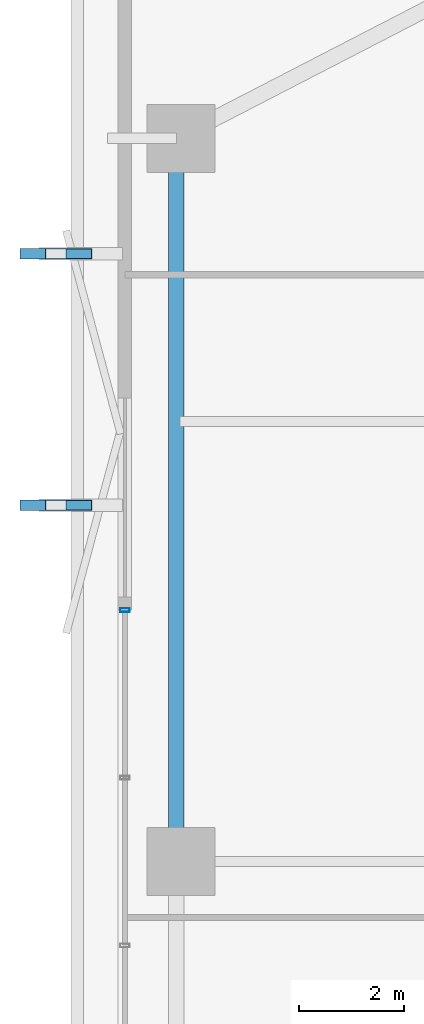
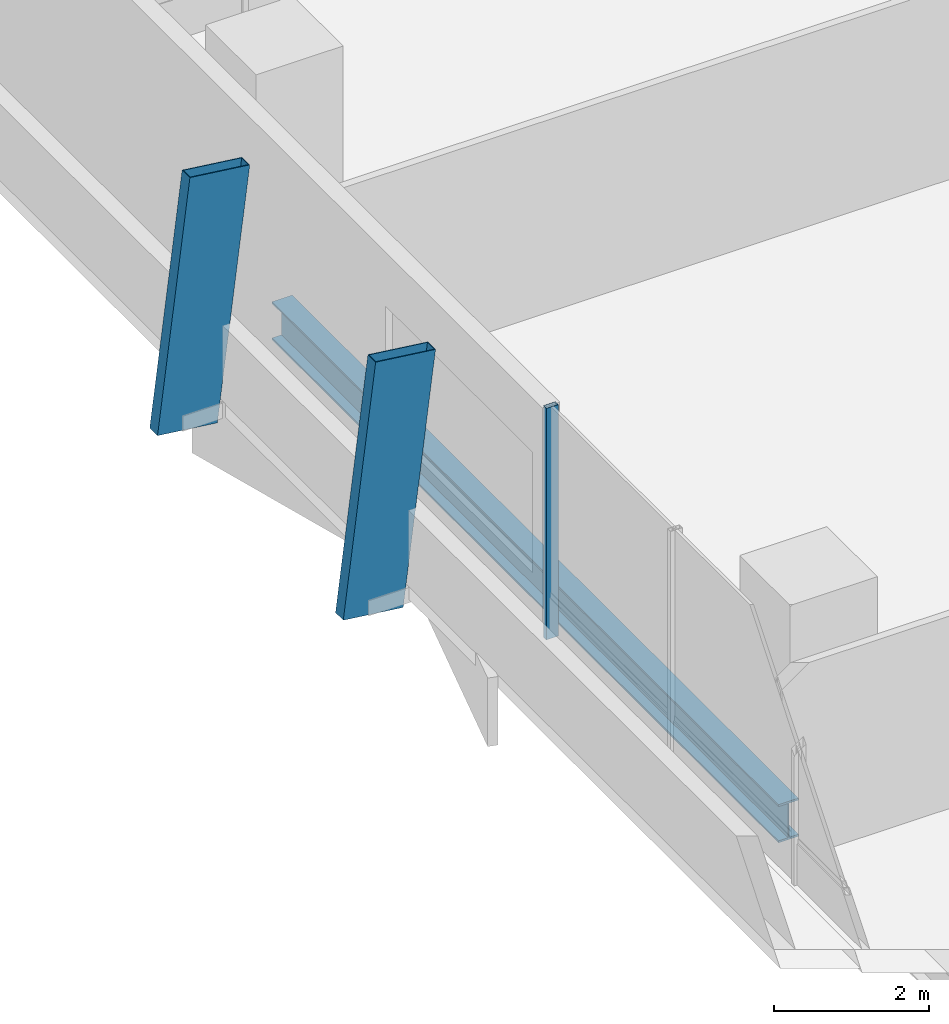
# One storey, part 17 of 34: 3 members, 1 beam, 1 element without a shape of its own.
"""IFC4 building model written with IfcOpenShell, lengths in metres."""

from ifc_helpers import new_model, si_unit, direction, frame, origin, origin_2d, place, context, subcontext, project, spatial, hollow_rectangle, i_section, extrude, material, layer, layer_set, material_profile, profile_set, type_object, element, aggregate, save


model = new_model("IFC4")

# Units and contexts
model_context = context("Model", 3, precision=1e-05, world=origin(), true_north=direction((0.0, 1.0)))
body_context = subcontext(model_context, "Body", "Model", "MODEL_VIEW")
ifc_project = project(units=[si_unit("LENGTHUNIT", "METRE"), si_unit("AREAUNIT", "SQUARE_METRE"), si_unit("VOLUMEUNIT", "CUBIC_METRE"), si_unit("PLANEANGLEUNIT", "RADIAN"), si_unit("MASSUNIT", "GRAM", prefix="KILO")], contexts=[model_context])

# Site, building, storey
site_placement = place(None, origin())
site = spatial("IfcSite", under=ifc_project, at=site_placement, CompositionType="ELEMENT")
building_placement = place(site_placement, origin())
building = spatial("IfcBuilding", under=site, at=building_placement, Name="Belovzor Exchange Tower", CompositionType="ELEMENT")
storey_placement = place(building_placement, frame((0.0, 0.0, 113.39990234375)))
storey = spatial("IfcBuildingStorey", under=building, at=storey_placement, Name="L27", CompositionType="ELEMENT", Elevation=113.39990234375)

# Members
ifc_material_1 = material(Name="Extruded Architectural Terracotta on Steel S355 Carrier", Category="masonry")
ifc_material_profile_1 = material_profile(ifc_material_1, hollow_rectangle(XDim=0.199951171875, YDim=0.89990234375, WallThickness=0.011962890625, at=origin_2d()))
ifc_profile_set_1 = profile_set([ifc_material_profile_1], Name="Extruded Architectural Terracotta on Steel S355 Carrier")
member_type_1 = type_object("IfcMemberType", Name="Sweeping Terracotta Baguette Fin Assembly 1250", PredefinedType="USERDEFINED", material=ifc_profile_set_1)
for number, where, z_axis, x_axis, name in (
    (1, (1.27490234375, 35.60009765625, -0.25), (0.122941295572, 0.0, 0.992413944805), (0.0, 1.0, 0.0), "FIN-TC125 Terracotta Facade Fin L27 W3"),
    (2, (1.27490234375, 40.39990234375, -0.25), (0.122941295572, 0.0, 0.992413944805), (0.0, 1.0, 0.0), "FIN-TC125 Terracotta Facade Fin L27 W4"),
):
    element("IfcMember", number, at=place(storey_placement, frame(where, z_axis=z_axis, x_axis=x_axis)), inside=storey, type_object=member_type_1, Name=name, ObjectType="FIN", PredefinedType="USERDEFINED", context=body_context, shape_type="SweptSolid", body=[
        extrude(hollow_rectangle(XDim=0.199951171875, YDim=0.89990234375, WallThickness=0.011962890625, at=origin_2d()), origin(), (0.0, 0.0, 1.0), 3.929931640625),
    ])

# Curtain wall, member
ifc_material_2 = material(Name="Anodised Aluminium Framing", Category="aluminium")
ifc_layer = layer(ifc_material_2, 0.179931640625)
ifc_layer_set = layer_set([ifc_layer], Name="Anodised Aluminium Framing")
curtain_wall_type = type_object("IfcCurtainWallType", Name="Recessed Loggia Low-Iron Triple-Glazed Curtain Wall", PredefinedType="NOTDEFINED", material=ifc_layer_set)
curtain_wall_placement = place(storey_placement, origin())
curtain_wall = element("IfcCurtainWall", 3, at=curtain_wall_placement, inside=storey, type_object=curtain_wall_type, Name="CW3 Recessed Loggia Low-Iron Triple-Glazed Curtain Wall L27", PredefinedType="NOTDEFINED")
ifc_material_3 = material(Name="Steel S355", Category="steel")
ifc_material_profile_2 = material_profile(ifc_material_3, hollow_rectangle(XDim=0.074951171875, YDim=0.179931640625, WallThickness=0.0048828125, at=origin_2d()))
ifc_profile_set_2 = profile_set([ifc_material_profile_2], Name="Steel S355")
member_type_2 = type_object("IfcMemberType", Name="Thermally Broken Curtain Wall Mullion 180x75", PredefinedType="MULLION", material=ifc_profile_set_2)
member_placement = place(storey_placement, frame((2.830078125, 33.60009765625, 0.0), z_axis=(0.0, 0.0, 1.0), x_axis=(0.0, 1.0, 0.0)))
member = element("IfcMember", 4, at=member_placement, type_object=member_type_2, Name="CW-M180 Curtain Wall Mullion 4", PredefinedType="MULLION", context=body_context, shape_type="SweptSolid", body=[
    extrude(hollow_rectangle(XDim=0.074951171875, YDim=0.179931640625, WallThickness=0.0048828125, at=origin_2d()), origin(), (0.0, 0.0, 1.0), 3.650146484375),
])
aggregate(curtain_wall, [member])

# Beam
ifc_material_4 = material(Name="Steel S355", Category="steel")
ifc_material_profile_3 = material_profile(ifc_material_4, i_section(OverallWidth=0.300048828125, OverallDepth=0.60009765625, WebThickness=0.015380859375, FlangeThickness=0.030029296875, at=origin_2d()))
ifc_profile_set_3 = profile_set([ifc_material_profile_3], Name="Steel S355")
beam_type = type_object("IfcBeamType", Name="Zone 2 Primary Perimeter Girder HEB 600", PredefinedType="BEAM", material=ifc_profile_set_3)
beam_placement = place(storey_placement, frame((3.80810546875, 42.241943359375, -0.5498046875), z_axis=(0.0, -1.0, 0.0), x_axis=(1.0, 0.0, 0.0)))
element("IfcBeam", 5, at=beam_placement, inside=storey, type_object=beam_type, Name="FG-Z2 Zone 2 Primary Perimeter Girder HEB 600", PredefinedType="BEAM", context=body_context, shape_type="SweptSolid", body=[
    extrude(i_section(OverallWidth=0.300048828125, OverallDepth=0.60009765625, WebThickness=0.015380859375, FlangeThickness=0.030029296875, at=origin_2d()), origin(), (0.0, 0.0, 1.0), 13.083984375),
])

save(model, "model.ifc")
